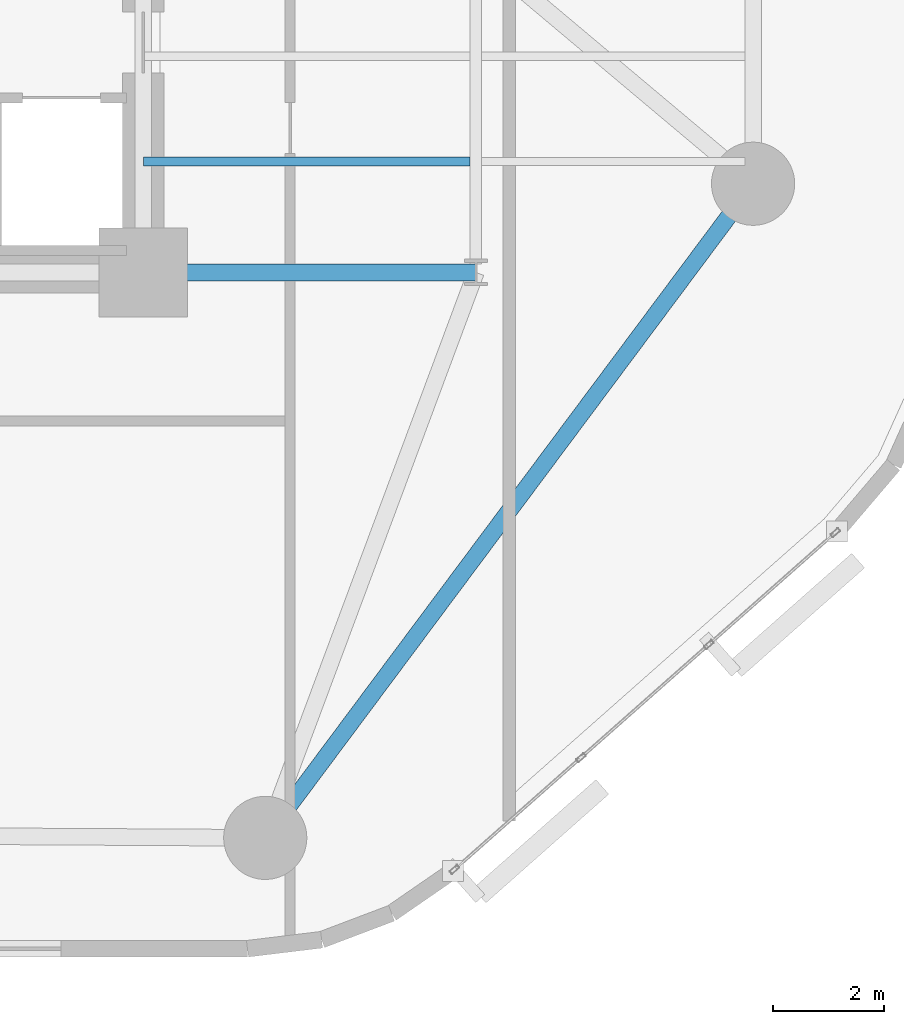
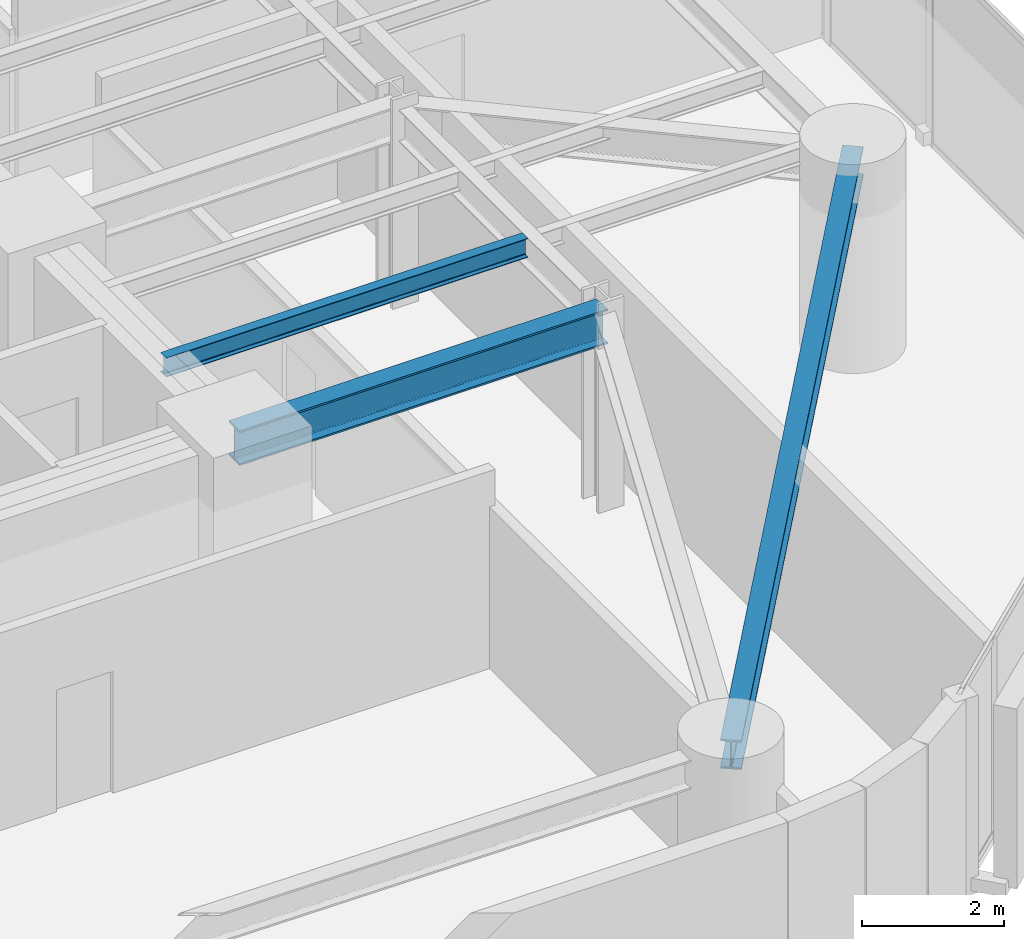
# One storey, part 3 of 16: 3 beams.
"""IFC4 building model written with IfcOpenShell, lengths in metres."""

from ifc_helpers import new_model, si_unit, direction, frame, origin, origin_2d, place, context, subcontext, project, spatial, i_section, extrude, material, material_profile, profile_set, type_object, element, save


model = new_model("IFC4")

# Units and contexts
model_context = context("Model", 3, precision=1e-05, world=origin(), true_north=direction((0.0, 1.0)))
body_context = subcontext(model_context, "Body", "Model", "MODEL_VIEW")
ifc_project = project(units=[si_unit("LENGTHUNIT", "METRE"), si_unit("AREAUNIT", "SQUARE_METRE"), si_unit("VOLUMEUNIT", "CUBIC_METRE"), si_unit("PLANEANGLEUNIT", "RADIAN"), si_unit("MASSUNIT", "GRAM", prefix="KILO")], contexts=[model_context])

# Site, building, storey
site_placement = place(None, origin())
site = spatial("IfcSite", under=ifc_project, at=site_placement, CompositionType="ELEMENT")
building_placement = place(site_placement, origin())
building = spatial("IfcBuilding", under=site, at=building_placement, Name="An Khanh Terracotta Commons", CompositionType="ELEMENT")
storey_placement = place(building_placement, frame((0.0, 0.0, 28.800048828125)))
storey = spatial("IfcBuildingStorey", under=building, at=storey_placement, Name="L07", CompositionType="ELEMENT", Elevation=28.800048828125)

# Beams
ifc_material = material(Name="Steel S355J2", Category="steel")
ifc_material_profile_1 = material_profile(ifc_material, i_section(OverallWidth=0.300048828125, OverallDepth=0.5, WebThickness=0.014404296875, FlangeThickness=0.028076171875, FilletRadius=0.027099609375, at=origin_2d()), Name="HEB500")
ifc_profile_set_1 = profile_set([ifc_material_profile_1], Name="Steel S355J2")
beam_type_1 = type_object("IfcBeamType", Name="BM-HEB500", PredefinedType="BEAM", material=ifc_profile_set_1)
beam_1_placement = place(storey_placement, frame((39.39990234375, 4.199951171875, 3.14990234375), z_axis=(0.59782442166, 0.801627070942, 0.0), x_axis=(-0.801627070942, 0.59782442166, 0.0)))
element("IfcBeam", 1, at=beam_1_placement, inside=storey, type_object=beam_type_1, Name="L07 Perimeter Ring Spandrel 2", PredefinedType="BEAM", context=body_context, shape_type="SweptSolid", body=[
    extrude(i_section(OverallWidth=0.300048828125, OverallDepth=0.5, WebThickness=0.014404296875, FlangeThickness=0.028076171875, FilletRadius=0.027099609375, at=origin_2d()), origin(), (0.0, 0.0, 1.0), 14.72021484375),
])
ifc_material_profile_2 = material_profile(ifc_material, i_section(OverallWidth=0.300048828125, OverallDepth=0.60009765625, WebThickness=0.015380859375, FlangeThickness=0.030029296875, FilletRadius=0.027099609375, at=origin_2d()), Name="HEB600")
ifc_profile_set_2 = profile_set([ifc_material_profile_2], Name="Steel S355J2")
beam_type_2 = type_object("IfcBeamType", Name="BM-HEB600", PredefinedType="BEAM", material=ifc_profile_set_2)
beam_2_placement = place(storey_placement, frame((37.199951171875, 14.39990234375, 3.099853515625), z_axis=(1.0, 0.0, 0.0), x_axis=(0.0, 1.0, 0.0)))
element("IfcBeam", 2, at=beam_2_placement, inside=storey, type_object=beam_type_2, Name="L07 East Primary Floor Girder 1", PredefinedType="BEAM", context=body_context, shape_type="SweptSolid", body=[
    extrude(i_section(OverallWidth=0.300048828125, OverallDepth=0.60009765625, WebThickness=0.015380859375, FlangeThickness=0.030029296875, FilletRadius=0.027099609375, at=origin_2d()), origin(), (0.0, 0.0, 1.0), 6.0),
])
ifc_material_profile_3 = material_profile(ifc_material, i_section(OverallWidth=0.159912109375, OverallDepth=0.330078125, WebThickness=0.007568359375, FlangeThickness=0.011474609375, FilletRadius=0.01806640625, at=origin_2d()), Name="IPE330")
ifc_profile_set_3 = profile_set([ifc_material_profile_3], Name="Steel S355J2")
beam_type_3 = type_object("IfcBeamType", Name="BM-IPE330", PredefinedType="JOIST", material=ifc_profile_set_3)
beam_3_placement = place(storey_placement, frame((37.199951171875, 16.39990234375, 3.23486328125), z_axis=(1.0, 0.0, 0.0), x_axis=(0.0, 1.0, 0.0)))
element("IfcBeam", 3, at=beam_3_placement, inside=storey, type_object=beam_type_3, Name="L07 Inboard Composite Joist 1", PredefinedType="JOIST", context=body_context, shape_type="SweptSolid", body=[
    extrude(i_section(OverallWidth=0.159912109375, OverallDepth=0.330078125, WebThickness=0.007568359375, FlangeThickness=0.011474609375, FilletRadius=0.01806640625, at=origin_2d()), origin(), (0.0, 0.0, 1.0), 5.89501953125),
])

save(model, "model.ifc")
